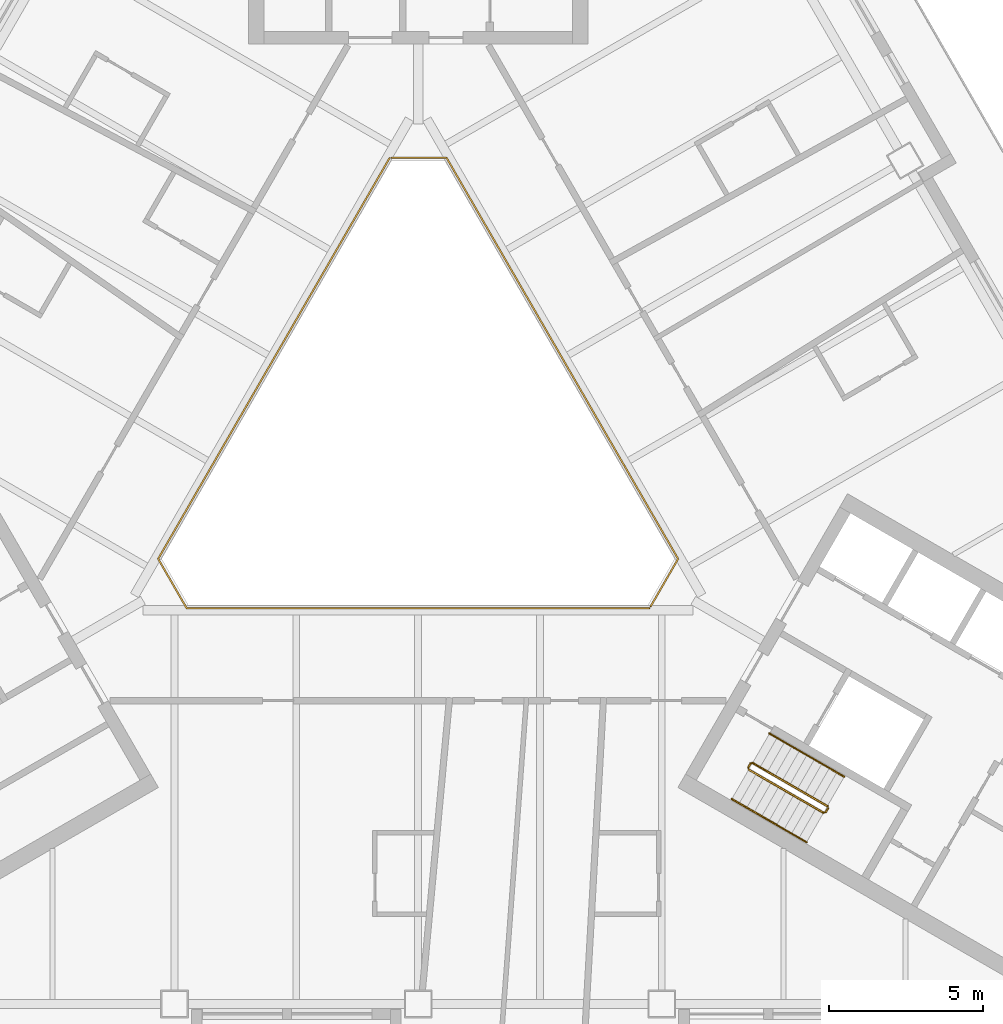
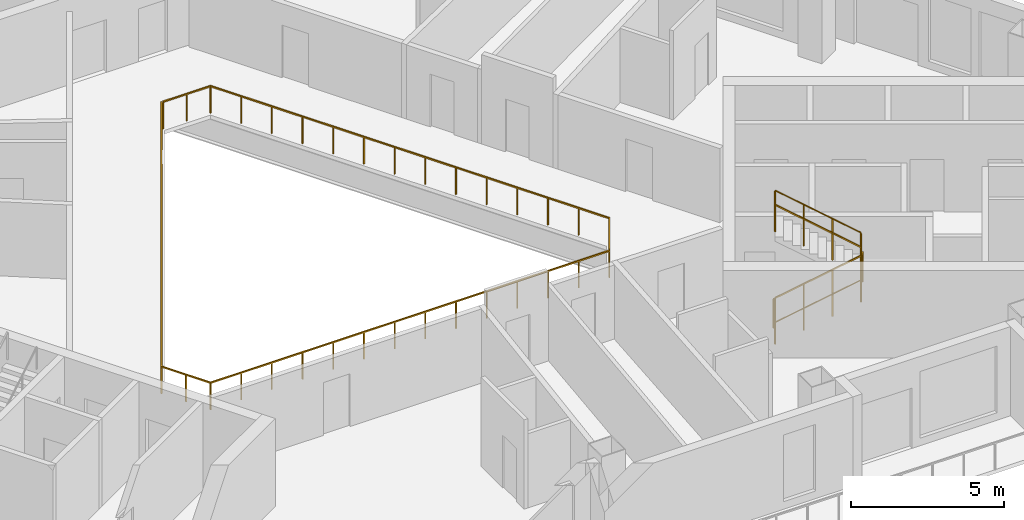
# One storey, part 11 of 13: 8 railings.
"""IFC4 building model written with IfcOpenShell, lengths in metres."""

from ifc_helpers import new_model, si_unit, direction, frame, origin, origin_2d, place, context, subcontext, project, spatial, rectangle, circle, extrude, material, type_object, element, save


model = new_model("IFC4")

# Units and contexts
model_context = context("Model", 3, precision=1e-05, world=origin(), true_north=direction((0.0, 1.0)))
body_context = subcontext(model_context, "Body", "Model", "MODEL_VIEW")
ifc_project = project(units=[si_unit("LENGTHUNIT", "METRE"), si_unit("AREAUNIT", "SQUARE_METRE"), si_unit("VOLUMEUNIT", "CUBIC_METRE"), si_unit("PLANEANGLEUNIT", "RADIAN"), si_unit("MASSUNIT", "GRAM", prefix="KILO")], contexts=[model_context])

# Site, building, storey
site_placement = place(None, origin())
site = spatial("IfcSite", under=ifc_project, at=site_placement, CompositionType="ELEMENT")
building_placement = place(site_placement, origin())
building = spatial("IfcBuilding", under=site, at=building_placement, Name="Apuvela Tower Hotel", CompositionType="ELEMENT")
storey_placement = place(building_placement, frame((0.0, 0.0, 124.199951171875)))
storey = spatial("IfcBuildingStorey", under=building, at=storey_placement, Name="L29", CompositionType="ELEMENT", Elevation=124.199951171875)

# Railings
ifc_material_1 = material(Name="Steel S275 balustrade", Category="steel")
railing_type_1 = type_object("IfcRailingType", Name="COR-GUARD-1100", PredefinedType="GUARDRAIL", material=ifc_material_1)
railing_1_placement = place(storey_placement, frame((10.718994140625, -10.63427734375, 0.168212890625)))
element("IfcRailing", 1, at=railing_1_placement, inside=storey, type_object=railing_type_1, Name="L29 ST3 stair guard 1", PredefinedType="GUARDRAIL", context=body_context, shape_type="SweptSolid", body=[
    extrude(rectangle(XDim=0.048095703125, YDim=0.048095703125, at=origin_2d()), frame((0.0, 0.0, 1.076171875), z_axis=(0.742390482028, -0.42860119049, 0.514934356695), x_axis=(0.49998411664, 0.866034573852, 0.0)), (0.0, 0.0, 1.0), 3.26611328125),
    extrude(rectangle(XDim=0.0419921875, YDim=0.0419921875, at=origin_2d()), origin(), (0.0, 0.0, 1.0), 1.052001953125),
    extrude(rectangle(XDim=0.0419921875, YDim=0.0419921875, at=origin_2d()), frame((0.808349609375, -0.466552734375, 0.560546875)), (0.0, 0.0, 1.0), 1.052001953125),
    extrude(rectangle(XDim=0.0419921875, YDim=0.0419921875, at=origin_2d()), frame((1.616455078125, -0.933349609375, 1.121337890625)), (0.0, 0.0, 1.0), 1.052001953125),
    extrude(rectangle(XDim=0.0419921875, YDim=0.0419921875, at=origin_2d()), frame((2.4248046875, -1.39990234375, 1.681884765625)), (0.0, 0.0, 1.0), 1.052001953125),
])
railing_2_placement = place(storey_placement, frame((13.212158203125, -12.015869140625, 1.85009765625)))
element("IfcRailing", 2, at=railing_2_placement, inside=storey, type_object=railing_type_1, Name="L29 ST3 stair guard 2", PredefinedType="GUARDRAIL", context=body_context, shape_type="SweptSolid", body=[
    extrude(rectangle(XDim=0.048095703125, YDim=0.048095703125, at=origin_2d()), frame((0.0, 0.0, 1.076171875), z_axis=(0.499816412211, 0.866131372301, 0.0), x_axis=(-0.866131372301, 0.499816412211, 0.0)), (0.0, 0.0, 1.0), 0.14990234375),
    extrude(rectangle(XDim=0.0419921875, YDim=0.0419921875, at=origin_2d()), origin(), (0.0, 0.0, 1.0), 1.052001953125),
    extrude(rectangle(XDim=0.0419921875, YDim=0.0419921875, at=origin_2d()), frame((0.074951171875, 0.1298828125, 0.0)), (0.0, 0.0, 1.0), 1.052001953125),
])
railing_3_placement = place(storey_placement, frame((13.268798828125, -11.817626953125, 2.018310546875)))
element("IfcRailing", 3, at=railing_3_placement, inside=storey, type_object=railing_type_1, Name="L29 ST3 stair guard 3", PredefinedType="GUARDRAIL", context=body_context, shape_type="SweptSolid", body=[
    extrude(rectangle(XDim=0.048095703125, YDim=0.048095703125, at=origin_2d()), frame((0.0, 0.0, 1.076171875), z_axis=(-0.74241905619, 0.428617687091, 0.514879426), x_axis=(-0.49998411664, -0.866034573852, 0.0)), (0.0, 0.0, 1.0), 3.26611328125),
    extrude(rectangle(XDim=0.0419921875, YDim=0.0419921875, at=origin_2d()), origin(), (0.0, 0.0, 1.0), 1.052001953125),
    extrude(rectangle(XDim=0.0419921875, YDim=0.0419921875, at=origin_2d()), frame((-0.808349609375, 0.466552734375, 0.560546875)), (0.0, 0.0, 1.0), 1.052001953125),
    extrude(rectangle(XDim=0.0419921875, YDim=0.0419921875, at=origin_2d()), frame((-1.616455078125, 0.933349609375, 1.12109375)), (0.0, 0.0, 1.0), 1.052001953125),
    extrude(rectangle(XDim=0.0419921875, YDim=0.0419921875, at=origin_2d()), frame((-2.4248046875, 1.39990234375, 1.681640625)), (0.0, 0.0, 1.0), 1.052001953125),
])
railing_4_placement = place(storey_placement, frame((10.70068359375, -10.56591796875, 0.0)))
element("IfcRailing", 4, at=railing_4_placement, inside=storey, type_object=railing_type_1, Name="L29 ST3 stair guard 4", PredefinedType="GUARDRAIL", context=body_context, shape_type="SweptSolid", body=[
    extrude(rectangle(XDim=0.048095703125, YDim=0.048095703125, at=origin_2d()), frame((0.0, 0.0, 1.076171875), z_axis=(0.499816412211, 0.866131372301, 0.0), x_axis=(-0.866131372301, 0.499816412211, 0.0)), (0.0, 0.0, 1.0), 0.14990234375),
    extrude(rectangle(XDim=0.0419921875, YDim=0.0419921875, at=origin_2d()), origin(), (0.0, 0.0, 1.0), 1.052001953125),
    extrude(rectangle(XDim=0.0419921875, YDim=0.0419921875, at=origin_2d()), frame((0.074951171875, 0.1298828125, 0.0)), (0.0, 0.0, 1.0), 1.052001953125),
])
ifc_material_2 = material(Name="Stainless steel 316 handrail", Category="steel")
railing_type_2 = type_object("IfcRailingType", Name="COR-HANDRAIL-900", PredefinedType="HANDRAIL", material=ifc_material_2)
railing_5_placement = place(storey_placement, frame((10.1689453125, -11.5869140625, 0.168212890625)))
element("IfcRailing", 5, at=railing_5_placement, inside=storey, type_object=railing_type_2, Name="L29 ST3 stair handrail 1", PredefinedType="HANDRAIL", context=body_context, shape_type="SweptSolid", body=[
    extrude(circle(Radius=0.02392578125, at=origin_2d()), frame((0.0, 0.0, 0.8759765625), z_axis=(0.742390482028, -0.42860119049, 0.514934356695), x_axis=(0.49998411664, 0.866034573852, 0.0)), (0.0, 0.0, 1.0), 3.26611328125),
    extrude(rectangle(XDim=0.0419921875, YDim=0.0419921875, at=origin_2d()), origin(), (0.0, 0.0, 1.0), 0.851806640625),
    extrude(rectangle(XDim=0.0419921875, YDim=0.0419921875, at=origin_2d()), frame((0.808349609375, -0.466552734375, 0.560546875)), (0.0, 0.0, 1.0), 0.851806640625),
    extrude(rectangle(XDim=0.0419921875, YDim=0.0419921875, at=origin_2d()), frame((1.616455078125, -0.933349609375, 1.121337890625)), (0.0, 0.0, 1.0), 0.851806640625),
    extrude(rectangle(XDim=0.0419921875, YDim=0.0419921875, at=origin_2d()), frame((2.4248046875, -1.39990234375, 1.681884765625)), (0.0, 0.0, 1.0), 0.851806640625),
])
railing_6_placement = place(storey_placement, frame((13.81884765625, -10.864990234375, 2.018310546875)))
element("IfcRailing", 6, at=railing_6_placement, inside=storey, type_object=railing_type_2, Name="L29 ST3 stair handrail 2", PredefinedType="HANDRAIL", context=body_context, shape_type="SweptSolid", body=[
    extrude(circle(Radius=0.02392578125, at=origin_2d()), frame((0.0, 0.0, 0.8759765625), z_axis=(-0.74241905619, 0.428617687091, 0.514879426), x_axis=(-0.49998411664, -0.866034573852, 0.0)), (0.0, 0.0, 1.0), 3.26611328125),
    extrude(rectangle(XDim=0.0419921875, YDim=0.0419921875, at=origin_2d()), origin(), (0.0, 0.0, 1.0), 0.851806640625),
    extrude(rectangle(XDim=0.0419921875, YDim=0.0419921875, at=origin_2d()), frame((-0.808349609375, 0.466552734375, 0.560546875)), (0.0, 0.0, 1.0), 0.851806640625),
    extrude(rectangle(XDim=0.0419921875, YDim=0.0419921875, at=origin_2d()), frame((-1.616455078125, 0.933349609375, 1.12109375)), (0.0, 0.0, 1.0), 0.851806640625),
    extrude(rectangle(XDim=0.0419921875, YDim=0.0419921875, at=origin_2d()), frame((-2.4248046875, 1.39990234375, 1.681640625)), (0.0, 0.0, 1.0), 0.851806640625),
])
ifc_material_3 = material(Name="Stainless steel 316 rail with laminated glass infill", Category="steel")
railing_type_3 = type_object("IfcRailingType", Name="ENV-GUARD-1100", PredefinedType="GUARDRAIL", material=ifc_material_3)
railing_7_placement = place(storey_placement, frame((-0.923828125, 9.199951171875, 0.0)))
element("IfcRailing", 7, at=railing_7_placement, inside=storey, type_object=railing_type_3, Name="Atrium void guard A L29", PredefinedType="GUARDRAIL", context=body_context, shape_type="SweptSolid", body=[
    extrude(rectangle(XDim=0.050048828125, YDim=0.050048828125, at=origin_2d()), frame((0.0, 0.0, 1.0751953125), z_axis=(-0.499990886379, -0.866030665472, 0.0), x_axis=(0.866030665472, -0.499990886379, 0.0)), (0.0, 0.0, 1.0), 15.010986328125),
    extrude(rectangle(XDim=0.050048828125, YDim=0.050048828125, at=origin_2d()), frame((-7.50537109375, -13.0, 1.0751953125), z_axis=(0.499962699187, -0.866046938348, 0.0), x_axis=(0.866046938348, 0.499962699187, 0.0)), (0.0, 0.0, 1.0), 1.847412109375),
    extrude(rectangle(XDim=0.050048828125, YDim=0.050048828125, at=origin_2d()), frame((-6.581787109375, -14.599853515625, 1.0751953125), z_axis=(1.0, 0.0, 0.0), x_axis=(0.0, 1.0, 0.0)), (0.0, 0.0, 1.0), 15.01123046875),
    extrude(rectangle(XDim=0.0400390625, YDim=0.0400390625, at=origin_2d()), origin(), (0.0, 0.0, 1.0), 1.050048828125),
    extrude(rectangle(XDim=0.0400390625, YDim=0.0400390625, at=origin_2d()), frame((-0.577392578125, -1.0, 0.0)), (0.0, 0.0, 1.0), 1.050048828125),
    extrude(rectangle(XDim=0.0400390625, YDim=0.0400390625, at=origin_2d()), frame((-1.15478515625, -2.0, 0.0)), (0.0, 0.0, 1.0), 1.050048828125),
    extrude(rectangle(XDim=0.0400390625, YDim=0.0400390625, at=origin_2d()), frame((-1.73193359375, -3.0, 0.0)), (0.0, 0.0, 1.0), 1.050048828125),
    extrude(rectangle(XDim=0.0400390625, YDim=0.0400390625, at=origin_2d()), frame((-2.309326171875, -4.0, 0.0)), (0.0, 0.0, 1.0), 1.050048828125),
    extrude(rectangle(XDim=0.0400390625, YDim=0.0400390625, at=origin_2d()), frame((-2.88671875, -5.0, 0.0)), (0.0, 0.0, 1.0), 1.050048828125),
    extrude(rectangle(XDim=0.0400390625, YDim=0.0400390625, at=origin_2d()), frame((-3.464111328125, -6.0, 0.0)), (0.0, 0.0, 1.0), 1.050048828125),
    extrude(rectangle(XDim=0.0400390625, YDim=0.0400390625, at=origin_2d()), frame((-4.041259765625, -7.0, 0.0)), (0.0, 0.0, 1.0), 1.050048828125),
    extrude(rectangle(XDim=0.0400390625, YDim=0.0400390625, at=origin_2d()), frame((-4.61865234375, -8.0, 0.0)), (0.0, 0.0, 1.0), 1.050048828125),
    extrude(rectangle(XDim=0.0400390625, YDim=0.0400390625, at=origin_2d()), frame((-5.196044921875, -9.0, 0.0)), (0.0, 0.0, 1.0), 1.050048828125),
    extrude(rectangle(XDim=0.0400390625, YDim=0.0400390625, at=origin_2d()), frame((-5.7734375, -10.0, 0.0)), (0.0, 0.0, 1.0), 1.050048828125),
    extrude(rectangle(XDim=0.0400390625, YDim=0.0400390625, at=origin_2d()), frame((-6.3505859375, -11.0, 0.0)), (0.0, 0.0, 1.0), 1.050048828125),
    extrude(rectangle(XDim=0.0400390625, YDim=0.0400390625, at=origin_2d()), frame((-6.927978515625, -12.0, 0.0)), (0.0, 0.0, 1.0), 1.050048828125),
    extrude(rectangle(XDim=0.0400390625, YDim=0.0400390625, at=origin_2d()), frame((-7.50537109375, -13.0, 0.0)), (0.0, 0.0, 1.0), 1.050048828125),
    extrude(rectangle(XDim=0.0400390625, YDim=0.0400390625, at=origin_2d()), frame((-7.04345703125, -13.7998046875, 0.0)), (0.0, 0.0, 1.0), 1.050048828125),
    extrude(rectangle(XDim=0.0400390625, YDim=0.0400390625, at=origin_2d()), frame((-6.581787109375, -14.599853515625, 0.0)), (0.0, 0.0, 1.0), 1.050048828125),
    extrude(rectangle(XDim=0.0400390625, YDim=0.0400390625, at=origin_2d()), frame((-5.427001953125, -14.599853515625, 0.0)), (0.0, 0.0, 1.0), 1.050048828125),
    extrude(rectangle(XDim=0.0400390625, YDim=0.0400390625, at=origin_2d()), frame((-4.2724609375, -14.599853515625, 0.0)), (0.0, 0.0, 1.0), 1.050048828125),
    extrude(rectangle(XDim=0.0400390625, YDim=0.0400390625, at=origin_2d()), frame((-3.11767578125, -14.599853515625, 0.0)), (0.0, 0.0, 1.0), 1.050048828125),
    extrude(rectangle(XDim=0.0400390625, YDim=0.0400390625, at=origin_2d()), frame((-1.962890625, -14.599853515625, 0.0)), (0.0, 0.0, 1.0), 1.050048828125),
    extrude(rectangle(XDim=0.0400390625, YDim=0.0400390625, at=origin_2d()), frame((-0.808349609375, -14.599853515625, 0.0)), (0.0, 0.0, 1.0), 1.050048828125),
    extrude(rectangle(XDim=0.0400390625, YDim=0.0400390625, at=origin_2d()), frame((0.346435546875, -14.599853515625, 0.0)), (0.0, 0.0, 1.0), 1.050048828125),
    extrude(rectangle(XDim=0.0400390625, YDim=0.0400390625, at=origin_2d()), frame((1.501220703125, -14.599853515625, 0.0)), (0.0, 0.0, 1.0), 1.050048828125),
    extrude(rectangle(XDim=0.0400390625, YDim=0.0400390625, at=origin_2d()), frame((2.656005859375, -14.599853515625, 0.0)), (0.0, 0.0, 1.0), 1.050048828125),
    extrude(rectangle(XDim=0.0400390625, YDim=0.0400390625, at=origin_2d()), frame((3.810546875, -14.599853515625, 0.0)), (0.0, 0.0, 1.0), 1.050048828125),
    extrude(rectangle(XDim=0.0400390625, YDim=0.0400390625, at=origin_2d()), frame((4.96533203125, -14.599853515625, 0.0)), (0.0, 0.0, 1.0), 1.050048828125),
    extrude(rectangle(XDim=0.0400390625, YDim=0.0400390625, at=origin_2d()), frame((6.1201171875, -14.599853515625, 0.0)), (0.0, 0.0, 1.0), 1.050048828125),
    extrude(rectangle(XDim=0.0400390625, YDim=0.0400390625, at=origin_2d()), frame((7.274658203125, -14.599853515625, 0.0)), (0.0, 0.0, 1.0), 1.050048828125),
    extrude(rectangle(XDim=0.0400390625, YDim=0.0400390625, at=origin_2d()), frame((8.429443359375, -14.599853515625, 0.0)), (0.0, 0.0, 1.0), 1.050048828125),
])
railing_8_placement = place(storey_placement, frame((7.53564453125, -5.347900390625, 0.0)))
element("IfcRailing", 8, at=railing_8_placement, inside=storey, type_object=railing_type_3, Name="Atrium void guard B L29", PredefinedType="GUARDRAIL", context=body_context, shape_type="SweptSolid", body=[
    extrude(rectangle(XDim=0.050048828125, YDim=0.050048828125, at=origin_2d()), frame((0.0, 0.0, 1.0751953125), z_axis=(0.499958946799, 0.866049104564, 0.0), x_axis=(-0.866049104564, 0.499958946799, 0.0)), (0.0, 0.0, 1.0), 1.787353515625),
    extrude(rectangle(XDim=0.050048828125, YDim=0.050048828125, at=origin_2d()), frame((0.8935546875, 1.5478515625, 1.0751953125), z_axis=(-0.499990886379, 0.866030665472, 0.0), x_axis=(-0.866030665472, -0.499990886379, 0.0)), (0.0, 0.0, 1.0), 15.010986328125),
    extrude(rectangle(XDim=0.050048828125, YDim=0.050048828125, at=origin_2d()), frame((-6.61181640625, 14.5478515625, 1.0751953125), z_axis=(-1.0, 0.0, 0.0), x_axis=(0.0, -1.0, 0.0)), (0.0, 0.0, 1.0), 1.78759765625),
    extrude(rectangle(XDim=0.0400390625, YDim=0.0400390625, at=origin_2d()), origin(), (0.0, 0.0, 1.0), 1.050048828125),
    extrude(rectangle(XDim=0.0400390625, YDim=0.0400390625, at=origin_2d()), frame((0.44677734375, 0.77392578125, 0.0)), (0.0, 0.0, 1.0), 1.050048828125),
    extrude(rectangle(XDim=0.0400390625, YDim=0.0400390625, at=origin_2d()), frame((0.8935546875, 1.5478515625, 0.0)), (0.0, 0.0, 1.0), 1.050048828125),
    extrude(rectangle(XDim=0.0400390625, YDim=0.0400390625, at=origin_2d()), frame((0.316162109375, 2.5478515625, 0.0)), (0.0, 0.0, 1.0), 1.050048828125),
    extrude(rectangle(XDim=0.0400390625, YDim=0.0400390625, at=origin_2d()), frame((-0.26123046875, 3.5478515625, 0.0)), (0.0, 0.0, 1.0), 1.050048828125),
    extrude(rectangle(XDim=0.0400390625, YDim=0.0400390625, at=origin_2d()), frame((-0.83837890625, 4.5478515625, 0.0)), (0.0, 0.0, 1.0), 1.050048828125),
    extrude(rectangle(XDim=0.0400390625, YDim=0.0400390625, at=origin_2d()), frame((-1.415771484375, 5.5478515625, 0.0)), (0.0, 0.0, 1.0), 1.050048828125),
    extrude(rectangle(XDim=0.0400390625, YDim=0.0400390625, at=origin_2d()), frame((-1.9931640625, 6.5478515625, 0.0)), (0.0, 0.0, 1.0), 1.050048828125),
    extrude(rectangle(XDim=0.0400390625, YDim=0.0400390625, at=origin_2d()), frame((-2.570556640625, 7.5478515625, 0.0)), (0.0, 0.0, 1.0), 1.050048828125),
    extrude(rectangle(XDim=0.0400390625, YDim=0.0400390625, at=origin_2d()), frame((-3.147705078125, 8.5478515625, 0.0)), (0.0, 0.0, 1.0), 1.050048828125),
    extrude(rectangle(XDim=0.0400390625, YDim=0.0400390625, at=origin_2d()), frame((-3.72509765625, 9.5478515625, 0.0)), (0.0, 0.0, 1.0), 1.050048828125),
    extrude(rectangle(XDim=0.0400390625, YDim=0.0400390625, at=origin_2d()), frame((-4.302490234375, 10.5478515625, 0.0)), (0.0, 0.0, 1.0), 1.050048828125),
    extrude(rectangle(XDim=0.0400390625, YDim=0.0400390625, at=origin_2d()), frame((-4.8798828125, 11.5478515625, 0.0)), (0.0, 0.0, 1.0), 1.050048828125),
    extrude(rectangle(XDim=0.0400390625, YDim=0.0400390625, at=origin_2d()), frame((-5.45703125, 12.5478515625, 0.0)), (0.0, 0.0, 1.0), 1.050048828125),
    extrude(rectangle(XDim=0.0400390625, YDim=0.0400390625, at=origin_2d()), frame((-6.034423828125, 13.5478515625, 0.0)), (0.0, 0.0, 1.0), 1.050048828125),
    extrude(rectangle(XDim=0.0400390625, YDim=0.0400390625, at=origin_2d()), frame((-6.61181640625, 14.5478515625, 0.0)), (0.0, 0.0, 1.0), 1.050048828125),
    extrude(rectangle(XDim=0.0400390625, YDim=0.0400390625, at=origin_2d()), frame((-7.505615234375, 14.5478515625, 0.0)), (0.0, 0.0, 1.0), 1.050048828125),
    extrude(rectangle(XDim=0.0400390625, YDim=0.0400390625, at=origin_2d()), frame((-8.3994140625, 14.5478515625, 0.0)), (0.0, 0.0, 1.0), 1.050048828125),
])

save(model, "model.ifc")
